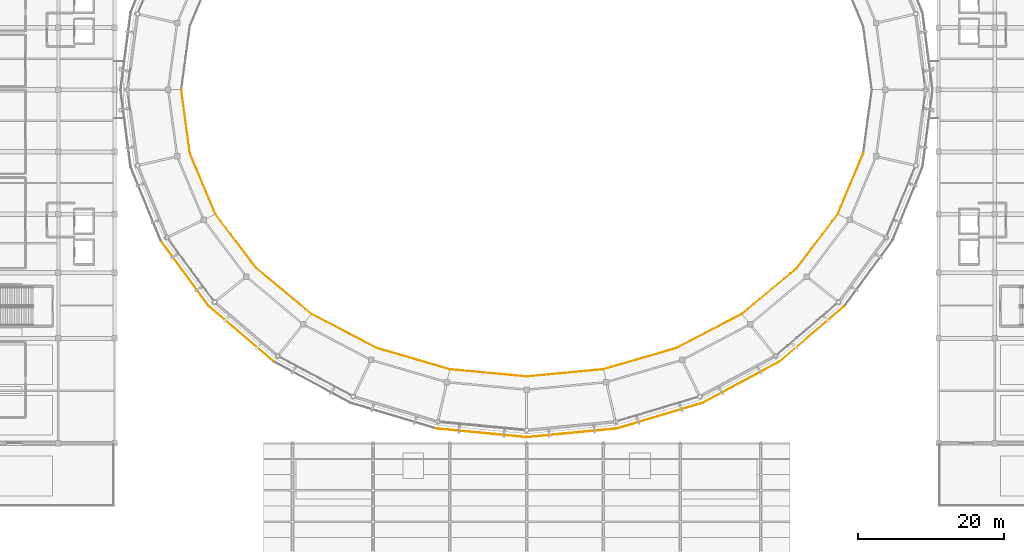
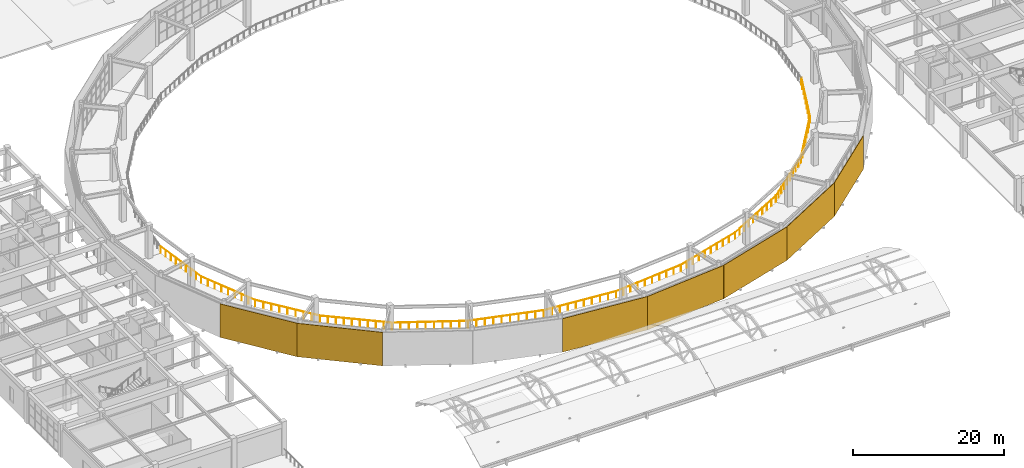
# One storey, part 64 of 70: 13 railings, 7 coverings.
"""IFC4 building model written with IfcOpenShell, lengths in metres."""

import ifcopenshell
import ifcopenshell.guid

model = None  # the IFC model being written
_history = None  # IfcOwnerHistory: only IFC2X3 demands one
_inside = {}  # id of a spatial element -> (the spatial element, [elements in it])
_under = {}  # id of a project, library or spatial element -> (it, [spatial elements below it])
_declared = {}  # id of a project -> (the project, [libraries it declares])
_typed = {}  # id of a type object -> (the type object, [elements of that type])
_made_of = {}  # id of a material, layer set ... -> (it, [elements and type objects made of it])


def new_model(schema):
    """Start an empty IFC model of exactly this schema.

    Asked for "IFC4X3", IfcOpenShell would pick the latest addendum, in which some entities
    have other attributes; the version numbers below select the first issue.
    IFC2X3 requires an IfcOwnerHistory on every rooted entity: one is made here for all.
    """
    global model, _history
    if schema == "IFC4X3":
        model = ifcopenshell.file(schema_version=(4, 3, 0, 0))
    else:
        model = ifcopenshell.file(schema=schema)
    _inside.clear()
    _under.clear()
    _declared.clear()
    _typed.clear()
    _made_of.clear()
    _history = None
    if model.schema == "IFC2X3":
        org = make("IfcOrganization", Name="unknown")
        user = make(
            "IfcPersonAndOrganization",
            ThePerson=make("IfcPerson", FamilyName="unknown"),
            TheOrganization=org,
        )
        app = make(
            "IfcApplication",
            ApplicationDeveloper=org,
            Version="unknown",
            ApplicationFullName="unknown",
            ApplicationIdentifier="unknown",
        )
        _history = make(
            "IfcOwnerHistory",
            OwningUser=user,
            OwningApplication=app,
            ChangeAction="ADDED",
            CreationDate=0,
        )
    return model


def make(cls, **values):
    """One entity of the class cls with the attributes given. An attribute that is None is left unset."""
    return model.create_entity(
        cls, **{name: value for name, value in values.items() if value is not None}
    )


def rooted(cls, **values):
    """An entity with a GlobalId (a new one), such as an element, a storey or a relation."""
    return make(cls, GlobalId=ifcopenshell.guid.new(), OwnerHistory=_history, **values)


def si_unit(unit_type, name, prefix=None):
    """IfcSIUnit, for example si_unit("LENGTHUNIT", "METRE", prefix="MILLI")."""
    return make("IfcSIUnit", UnitType=unit_type, Prefix=prefix, Name=name)


def assignment(units):
    """IfcUnitAssignment: the units of a project."""
    return None if units is None else make("IfcUnitAssignment", Units=units)


def point(xyz):
    """IfcCartesianPoint."""
    return None if xyz is None else make("IfcCartesianPoint", Coordinates=xyz)


def direction(xyz):
    """IfcDirection."""
    return None if xyz is None else make("IfcDirection", DirectionRatios=xyz)


def frame(location, z_axis=None, x_axis=None):
    """IfcAxis2Placement3D, a coordinate frame: its origin and axes. An axis left out is left unset."""
    return make(
        "IfcAxis2Placement3D",
        Location=point(location),
        Axis=direction(z_axis),
        RefDirection=direction(x_axis),
    )


def frame_2d(location, x_axis=None):
    """IfcAxis2Placement2D, a coordinate frame in the plane: its origin and x axis."""
    return make(
        "IfcAxis2Placement2D", Location=point(location), RefDirection=direction(x_axis)
    )


def origin():
    """The frame at (0, 0, 0) with its axes left unset."""
    return frame((0.0, 0.0, 0.0))


def origin_2d():
    """The frame at (0, 0) in the plane with its x axis left unset."""
    return frame_2d((0.0, 0.0))


def place(relative_to, where):
    """IfcLocalPlacement: puts the frame where relative to a parent placement (None: the world)."""
    return make(
        "IfcLocalPlacement", PlacementRelTo=relative_to, RelativePlacement=where
    )


def context(
    kind, dimensions, precision=None, world=None, true_north=None, identifier=None
):
    """IfcGeometricRepresentationContext, for example the 3D "Model" context."""
    return make(
        "IfcGeometricRepresentationContext",
        ContextIdentifier=identifier,
        ContextType=kind,
        CoordinateSpaceDimension=dimensions,
        Precision=precision,
        WorldCoordinateSystem=world,
        TrueNorth=true_north,
    )


def subcontext(parent, identifier, kind, view, scale=None):
    """IfcGeometricRepresentationSubContext, for example "Body" below "Model"."""
    return make(
        "IfcGeometricRepresentationSubContext",
        ContextIdentifier=identifier,
        ContextType=kind,
        ParentContext=parent,
        TargetScale=scale,
        TargetView=view,
    )


def project(units=None, contexts=None):
    """IfcProject with its units and contexts."""
    return rooted(
        "IfcProject",
        Name="project",
        RepresentationContexts=contexts,
        UnitsInContext=assignment(units),
    )


def spatial(cls, under=None, at=None, **own):
    """A site, building, storey or space (cls), placed at a placement, below another one or the project."""
    s = rooted(cls, ObjectPlacement=at, **own)
    if under is not None:
        _under.setdefault(under.id(), (under, []))[1].append(s)
    return s


def profile(cls, at=None, kind="AREA", **sizes):
    """A parametric profile (cls). Its sizes go by their IFC names, for example OverallWidth=200.0."""
    return make(cls, ProfileType=kind, Position=at, **sizes)


def rectangle(**sizes):
    """IfcRectangleProfileDef."""
    return profile("IfcRectangleProfileDef", **sizes)


def circle(**sizes):
    """IfcCircleProfileDef."""
    return profile("IfcCircleProfileDef", **sizes)


def extrude(swept, where, along, depth):
    """IfcExtrudedAreaSolid: the profile swept, set in the frame where, extruded along a direction by depth."""
    return make(
        "IfcExtrudedAreaSolid",
        SweptArea=swept,
        Position=where,
        ExtrudedDirection=direction(along),
        Depth=depth,
    )


def shape(context_of_items, identifier, shape_type, items):
    """IfcShapeRepresentation: the items that make up one representation, for example the "Body"."""
    return make(
        "IfcShapeRepresentation",
        ContextOfItems=context_of_items,
        RepresentationIdentifier=identifier,
        RepresentationType=shape_type,
        Items=items,
    )


def material(Name=None, Category=None):
    """IfcMaterial."""
    return make("IfcMaterial", Name=Name, Category=Category)


def layer(
    of_material, thickness, ventilated=None, Name=None, Category=None, Priority=None
):
    """IfcMaterialLayer: one layer of a wall or slab, of a material (None: an air gap)."""
    return make(
        "IfcMaterialLayer",
        Material=of_material,
        LayerThickness=thickness,
        IsVentilated=ventilated,
        Name=Name,
        Category=Category,
        Priority=Priority,
    )


def layer_set(layers, Name=None):
    """IfcMaterialLayerSet."""
    return make("IfcMaterialLayerSet", MaterialLayers=layers, LayerSetName=Name)


def made_of(thing, what):
    """Note that an element or type object is made of a material, layer set ...; save() writes the relation."""
    if what is not None:
        _made_of.setdefault(what.id(), (what, []))[1].append(thing)
    return thing


def type_object(cls, material=None, **own):
    """A type object (cls), such as IfcWallType, which elements share."""
    return made_of(rooted(cls, **own), material)


def element(
    cls,
    number,
    at=None,
    inside=None,
    cuts=None,
    type_object=None,
    material=None,
    context=None,
    identifier="Body",
    shape_type=None,
    held_by="IfcProductDefinitionShape",
    body=None,
    shapes=None,
    **own,
):
    """One element of the class cls, such as IfcWall. Its Tag is "e" and its number.

    at: its placement. inside: the storey or other place that contains it. cuts: it is an
    opening in that element (IfcRelVoidsElement). A single representation is given by context,
    identifier, shape_type and body (its items); several are given by shapes. held_by: the class
    of the entity that holds the representations. save() writes the other relations.
    """
    e = rooted(cls, Tag="e%d" % number, ObjectPlacement=at, **own)
    if body is not None:
        shapes = [shape(context, identifier, shape_type, body)]
    if shapes is not None:
        e.Representation = make(held_by, Representations=shapes)
    if inside is not None:
        _inside.setdefault(inside.id(), (inside, []))[1].append(e)
    if cuts is not None:
        rooted(
            "IfcRelVoidsElement", RelatingBuildingElement=cuts, RelatedOpeningElement=e
        )
    if type_object is not None:
        _typed.setdefault(type_object.id(), (type_object, []))[1].append(e)
    return made_of(e, material)


def aggregate(whole, parts):
    """IfcRelAggregates: a whole, such as a stair, and the parts it consists of."""
    return rooted("IfcRelAggregates", RelatingObject=whole, RelatedObjects=parts)


def save(model, path):
    """Write the relations noted so far, then the file.

    IfcRelAggregates (storeys below a building ...), IfcRelContainedInSpatialStructure (elements
    in a storey), IfcRelDefinesByType, IfcRelAssociatesMaterial and IfcRelDeclares: one each for
    every whole, place, type object, material and project.
    """
    for whole, parts in _under.values():
        aggregate(whole, parts)
    for where, things in _inside.values():
        rooted(
            "IfcRelContainedInSpatialStructure",
            RelatedElements=things,
            RelatingStructure=where,
        )
    for kind, things in _typed.values():
        rooted("IfcRelDefinesByType", RelatedObjects=things, RelatingType=kind)
    for what, things in _made_of.values():
        rooted("IfcRelAssociatesMaterial", RelatedObjects=things, RelatingMaterial=what)
    for by, libraries in _declared.values():
        rooted("IfcRelDeclares", RelatingContext=by, RelatedDefinitions=libraries)
    model.write(path)


model = new_model("IFC4")

# Units and contexts
model_context = context("Model", 3, precision=1e-05, world=origin(), true_north=direction((0.0, 1.0)))
body_context = subcontext(model_context, "Body", "Model", "MODEL_VIEW")
ifc_project = project(units=[si_unit("LENGTHUNIT", "METRE"), si_unit("AREAUNIT", "SQUARE_METRE"), si_unit("VOLUMEUNIT", "CUBIC_METRE"), si_unit("PLANEANGLEUNIT", "RADIAN"), si_unit("MASSUNIT", "GRAM", prefix="KILO")], contexts=[model_context])

# Site, building, storey
site_placement = place(None, origin())
site = spatial("IfcSite", under=ifc_project, at=site_placement, CompositionType="ELEMENT")
building_placement = place(site_placement, origin())
building = spatial("IfcBuilding", under=site, at=building_placement, Name="Cuetzalor Civic Arena", CompositionType="ELEMENT")
storey_placement = place(building_placement, frame((0.0, 0.0, 21.0)))
storey = spatial("IfcBuildingStorey", under=building, at=storey_placement, Name="L04", CompositionType="ELEMENT", Elevation=21.0)

# Railings
ifc_material_1 = material(Name="Reseda-green Steel S355 and laminated glass guard", Category="steel")
railing_type = type_object("IfcRailingType", Name="BowlSightlineGuard_1100", PredefinedType="BALUSTRADE", material=ifc_material_1)
railing_1_placement = place(storey_placement, frame((-47.199951171875, 0.0, 0.0)))
element("IfcRailing", 1, at=railing_1_placement, inside=storey, type_object=railing_type, Name="Sky Gallery Bowl Rim Balustrade S15", PredefinedType="BALUSTRADE", context=body_context, shape_type="SweptSolid", body=[
    extrude(circle(Radius=0.02392578125, at=origin_2d()), frame((0.0, 0.0, 1.076171875), z_axis=(0.134428756655, -0.990923261097, 0.0), x_axis=(0.990923261097, 0.134428756655, 0.0)), (0.0, 0.0, 1.0), 8.802734375),
    extrude(circle(Radius=0.02099609375, at=origin_2d()), origin(), (0.0, 0.0, 1.0), 1.052001953125),
    extrude(circle(Radius=0.02099609375, at=origin_2d()), frame((0.14794921875, -1.09033203125, 0.0)), (0.0, 0.0, 1.0), 1.052001953125),
    extrude(circle(Radius=0.02099609375, at=origin_2d()), frame((0.2958984375, -2.1806640625, 0.0)), (0.0, 0.0, 1.0), 1.052001953125),
    extrude(circle(Radius=0.02099609375, at=origin_2d()), frame((0.44384765625, -3.27099609375, 0.0)), (0.0, 0.0, 1.0), 1.052001953125),
    extrude(circle(Radius=0.02099609375, at=origin_2d()), frame((0.591796875, -4.361328125, 0.0)), (0.0, 0.0, 1.0), 1.052001953125),
    extrude(circle(Radius=0.02099609375, at=origin_2d()), frame((0.739501953125, -5.451904296875, 0.0)), (0.0, 0.0, 1.0), 1.052001953125),
    extrude(circle(Radius=0.02099609375, at=origin_2d()), frame((0.887451171875, -6.542236328125, 0.0)), (0.0, 0.0, 1.0), 1.052001953125),
    extrude(circle(Radius=0.02099609375, at=origin_2d()), frame((1.035400390625, -7.632568359375, 0.0)), (0.0, 0.0, 1.0), 1.052001953125),
    extrude(circle(Radius=0.02099609375, at=origin_2d()), frame((1.183349609375, -8.722900390625, 0.0)), (0.0, 0.0, 1.0), 1.052001953125),
])
railing_2_placement = place(storey_placement, frame((-46.0166015625, -8.722900390625, 0.0)))
element("IfcRailing", 2, at=railing_2_placement, inside=storey, type_object=railing_type, Name="Sky Gallery Bowl Rim Balustrade S16", PredefinedType="BALUSTRADE", context=body_context, shape_type="SweptSolid", body=[
    extrude(circle(Radius=0.02392578125, at=origin_2d()), frame((0.0, 0.0, 1.076171875), z_axis=(0.388281571864, -0.921540786374, 0.0), x_axis=(0.921540786374, 0.388281571864, 0.0)), (0.0, 0.0, 1.0), 8.99072265625),
    extrude(circle(Radius=0.02099609375, at=origin_2d()), origin(), (0.0, 0.0, 1.0), 1.052001953125),
    extrude(circle(Radius=0.02099609375, at=origin_2d()), frame((0.436279296875, -1.03564453125, 0.0)), (0.0, 0.0, 1.0), 1.052001953125),
    extrude(circle(Radius=0.02099609375, at=origin_2d()), frame((0.872802734375, -2.0712890625, 0.0)), (0.0, 0.0, 1.0), 1.052001953125),
    extrude(circle(Radius=0.02099609375, at=origin_2d()), frame((1.30908203125, -3.10693359375, 0.0)), (0.0, 0.0, 1.0), 1.052001953125),
    extrude(circle(Radius=0.02099609375, at=origin_2d()), frame((1.74560546875, -4.142578125, 0.0)), (0.0, 0.0, 1.0), 1.052001953125),
    extrude(circle(Radius=0.02099609375, at=origin_2d()), frame((2.181884765625, -5.178466796875, 0.0)), (0.0, 0.0, 1.0), 1.052001953125),
    extrude(circle(Radius=0.02099609375, at=origin_2d()), frame((2.6181640625, -6.214111328125, 0.0)), (0.0, 0.0, 1.0), 1.052001953125),
    extrude(circle(Radius=0.02099609375, at=origin_2d()), frame((3.0546875, -7.249755859375, 0.0)), (0.0, 0.0, 1.0), 1.052001953125),
    extrude(circle(Radius=0.02099609375, at=origin_2d()), frame((3.490966796875, -8.285400390625, 0.0)), (0.0, 0.0, 1.0), 1.052001953125),
])
railing_3_placement = place(storey_placement, frame((-42.525634765625, -17.00830078125, 0.0)))
element("IfcRailing", 3, at=railing_3_placement, inside=storey, type_object=railing_type, Name="Sky Gallery Bowl Rim Balustrade S17", PredefinedType="BALUSTRADE", context=body_context, shape_type="SweptSolid", body=[
    extrude(circle(Radius=0.02392578125, at=origin_2d()), frame((0.0, 0.0, 1.076171875), z_axis=(0.60334768041, -0.79747826086, 0.0), x_axis=(0.79747826086, 0.60334768041, 0.0)), (0.0, 0.0, 1.0), 9.320068359375),
    extrude(circle(Radius=0.02099609375, at=origin_2d()), origin(), (0.0, 0.0, 1.0), 1.052001953125),
    extrude(circle(Radius=0.02099609375, at=origin_2d()), frame((0.702880859375, -0.92919921875, 0.0)), (0.0, 0.0, 1.0), 1.052001953125),
    extrude(circle(Radius=0.02099609375, at=origin_2d()), frame((1.40576171875, -1.858154296875, 0.0)), (0.0, 0.0, 1.0), 1.052001953125),
    extrude(circle(Radius=0.02099609375, at=origin_2d()), frame((2.108642578125, -2.787109375, 0.0)), (0.0, 0.0, 1.0), 1.052001953125),
    extrude(circle(Radius=0.02099609375, at=origin_2d()), frame((2.8115234375, -3.71630859375, 0.0)), (0.0, 0.0, 1.0), 1.052001953125),
    extrude(circle(Radius=0.02099609375, at=origin_2d()), frame((3.5146484375, -4.6455078125, 0.0)), (0.0, 0.0, 1.0), 1.052001953125),
    extrude(circle(Radius=0.02099609375, at=origin_2d()), frame((4.217529296875, -5.574462890625, 0.0)), (0.0, 0.0, 1.0), 1.052001953125),
    extrude(circle(Radius=0.02099609375, at=origin_2d()), frame((4.92041015625, -6.50341796875, 0.0)), (0.0, 0.0, 1.0), 1.052001953125),
    extrude(circle(Radius=0.02099609375, at=origin_2d()), frame((5.623291015625, -7.4326171875, 0.0)), (0.0, 0.0, 1.0), 1.052001953125),
])
railing_4_placement = place(storey_placement, frame((-36.90234375, -24.44091796875, 0.0)))
element("IfcRailing", 4, at=railing_4_placement, inside=storey, type_object=railing_type, Name="Sky Gallery Bowl Rim Balustrade S18", PredefinedType="BALUSTRADE", context=body_context, shape_type="SweptSolid", body=[
    extrude(circle(Radius=0.02392578125, at=origin_2d()), frame((0.0, 0.0, 1.076171875), z_axis=(0.769295452633, -0.638893188693, 0.0), x_axis=(0.638893188693, 0.769295452633, 0.0)), (0.0, 0.0, 1.0), 9.71484375),
    extrude(circle(Radius=0.02099609375, at=origin_2d()), origin(), (0.0, 0.0, 1.0), 1.052001953125),
    extrude(circle(Radius=0.02099609375, at=origin_2d()), frame((0.830322265625, -0.689697265625, 0.0)), (0.0, 0.0, 1.0), 1.052001953125),
    extrude(circle(Radius=0.02099609375, at=origin_2d()), frame((1.660888671875, -1.37939453125, 0.0)), (0.0, 0.0, 1.0), 1.052001953125),
    extrude(circle(Radius=0.02099609375, at=origin_2d()), frame((2.4912109375, -2.06884765625, 0.0)), (0.0, 0.0, 1.0), 1.052001953125),
    extrude(circle(Radius=0.02099609375, at=origin_2d()), frame((3.321533203125, -2.758544921875, 0.0)), (0.0, 0.0, 1.0), 1.052001953125),
    extrude(circle(Radius=0.02099609375, at=origin_2d()), frame((4.152099609375, -3.4482421875, 0.0)), (0.0, 0.0, 1.0), 1.052001953125),
    extrude(circle(Radius=0.02099609375, at=origin_2d()), frame((4.982421875, -4.137939453125, 0.0)), (0.0, 0.0, 1.0), 1.052001953125),
    extrude(circle(Radius=0.02099609375, at=origin_2d()), frame((5.812744140625, -4.827392578125, 0.0)), (0.0, 0.0, 1.0), 1.052001953125),
    extrude(circle(Radius=0.02099609375, at=origin_2d()), frame((6.643310546875, -5.51708984375, 0.0)), (0.0, 0.0, 1.0), 1.052001953125),
    extrude(circle(Radius=0.02099609375, at=origin_2d()), frame((7.4736328125, -6.206787109375, 0.0)), (0.0, 0.0, 1.0), 1.052001953125),
])
railing_5_placement = place(storey_placement, frame((-29.4287109375, -30.647705078125, 0.0)))
element("IfcRailing", 5, at=railing_5_placement, inside=storey, type_object=railing_type, Name="Sky Gallery Bowl Rim Balustrade S19", PredefinedType="BALUSTRADE", context=body_context, shape_type="SweptSolid", body=[
    extrude(circle(Radius=0.02392578125, at=origin_2d()), frame((0.0, 0.0, 1.076171875), z_axis=(0.886539131645, -0.462653615636, 0.0), x_axis=(0.462653615636, 0.886539131645, 0.0)), (0.0, 0.0, 1.0), 10.0947265625),
    extrude(circle(Radius=0.02099609375, at=origin_2d()), origin(), (0.0, 0.0, 1.0), 1.052001953125),
    extrude(circle(Radius=0.02099609375, at=origin_2d()), frame((0.994384765625, -0.51904296875, 0.0)), (0.0, 0.0, 1.0), 1.052001953125),
    extrude(circle(Radius=0.02099609375, at=origin_2d()), frame((1.98876953125, -1.037841796875, 0.0)), (0.0, 0.0, 1.0), 1.052001953125),
    extrude(circle(Radius=0.02099609375, at=origin_2d()), frame((2.983154296875, -1.556884765625, 0.0)), (0.0, 0.0, 1.0), 1.052001953125),
    extrude(circle(Radius=0.02099609375, at=origin_2d()), frame((3.9775390625, -2.07568359375, 0.0)), (0.0, 0.0, 1.0), 1.052001953125),
    extrude(circle(Radius=0.02099609375, at=origin_2d()), frame((4.971923828125, -2.5947265625, 0.0)), (0.0, 0.0, 1.0), 1.052001953125),
    extrude(circle(Radius=0.02099609375, at=origin_2d()), frame((5.96630859375, -3.113525390625, 0.0)), (0.0, 0.0, 1.0), 1.052001953125),
    extrude(circle(Radius=0.02099609375, at=origin_2d()), frame((6.960693359375, -3.632568359375, 0.0)), (0.0, 0.0, 1.0), 1.052001953125),
    extrude(circle(Radius=0.02099609375, at=origin_2d()), frame((7.955078125, -4.1513671875, 0.0)), (0.0, 0.0, 1.0), 1.052001953125),
    extrude(circle(Radius=0.02099609375, at=origin_2d()), frame((8.949462890625, -4.67041015625, 0.0)), (0.0, 0.0, 1.0), 1.052001953125),
])
railing_6_placement = place(storey_placement, frame((-20.479248046875, -35.318115234375, 0.0)))
element("IfcRailing", 6, at=railing_6_placement, inside=storey, type_object=railing_type, Name="Sky Gallery Bowl Rim Balustrade S20", PredefinedType="BALUSTRADE", context=body_context, shape_type="SweptSolid", body=[
    extrude(circle(Radius=0.02392578125, at=origin_2d()), frame((0.0, 0.0, 1.076171875), z_axis=(0.960273529598, -0.279060474365, 0.0), x_axis=(0.279060474365, 0.960273529598, 0.0)), (0.0, 0.0, 1.0), 10.38916015625),
    extrude(circle(Radius=0.02099609375, at=origin_2d()), origin(), (0.0, 0.0, 1.0), 1.052001953125),
    extrude(circle(Radius=0.02099609375, at=origin_2d()), frame((1.1083984375, -0.322021484375, 0.0)), (0.0, 0.0, 1.0), 1.052001953125),
    extrude(circle(Radius=0.02099609375, at=origin_2d()), frame((2.217041015625, -0.644287109375, 0.0)), (0.0, 0.0, 1.0), 1.052001953125),
    extrude(circle(Radius=0.02099609375, at=origin_2d()), frame((3.325439453125, -0.96630859375, 0.0)), (0.0, 0.0, 1.0), 1.052001953125),
    extrude(circle(Radius=0.02099609375, at=origin_2d()), frame((4.433837890625, -1.28857421875, 0.0)), (0.0, 0.0, 1.0), 1.052001953125),
    extrude(circle(Radius=0.02099609375, at=origin_2d()), frame((5.54248046875, -1.610595703125, 0.0)), (0.0, 0.0, 1.0), 1.052001953125),
    extrude(circle(Radius=0.02099609375, at=origin_2d()), frame((6.65087890625, -1.932861328125, 0.0)), (0.0, 0.0, 1.0), 1.052001953125),
    extrude(circle(Radius=0.02099609375, at=origin_2d()), frame((7.75927734375, -2.2548828125, 0.0)), (0.0, 0.0, 1.0), 1.052001953125),
    extrude(circle(Radius=0.02099609375, at=origin_2d()), frame((8.867919921875, -2.5771484375, 0.0)), (0.0, 0.0, 1.0), 1.052001953125),
    extrude(circle(Radius=0.02099609375, at=origin_2d()), frame((9.976318359375, -2.899169921875, 0.0)), (0.0, 0.0, 1.0), 1.052001953125),
])
railing_7_placement = place(storey_placement, frame((-10.5029296875, -38.21728515625, 0.0)))
element("IfcRailing", 7, at=railing_7_placement, inside=storey, type_object=railing_type, Name="Sky Gallery Bowl Rim Balustrade S21", PredefinedType="BALUSTRADE", context=body_context, shape_type="SweptSolid", body=[
    extrude(circle(Radius=0.02392578125, at=origin_2d()), frame((0.0, 0.0, 1.076171875), z_axis=(0.995651684178, -0.093154300995, 0.0), x_axis=(0.093154300995, 0.995651684178, 0.0)), (0.0, 0.0, 1.0), 10.548828125),
    extrude(circle(Radius=0.02099609375, at=origin_2d()), origin(), (0.0, 0.0, 1.0), 1.052001953125),
    extrude(circle(Radius=0.02099609375, at=origin_2d()), frame((1.1669921875, -0.109130859375, 0.0)), (0.0, 0.0, 1.0), 1.052001953125),
    extrude(circle(Radius=0.02099609375, at=origin_2d()), frame((2.333984375, -0.21826171875, 0.0)), (0.0, 0.0, 1.0), 1.052001953125),
    extrude(circle(Radius=0.02099609375, at=origin_2d()), frame((3.5009765625, -0.32763671875, 0.0)), (0.0, 0.0, 1.0), 1.052001953125),
    extrude(circle(Radius=0.02099609375, at=origin_2d()), frame((4.66796875, -0.436767578125, 0.0)), (0.0, 0.0, 1.0), 1.052001953125),
    extrude(circle(Radius=0.02099609375, at=origin_2d()), frame((5.8349609375, -0.5458984375, 0.0)), (0.0, 0.0, 1.0), 1.052001953125),
    extrude(circle(Radius=0.02099609375, at=origin_2d()), frame((7.001953125, -0.655029296875, 0.0)), (0.0, 0.0, 1.0), 1.052001953125),
    extrude(circle(Radius=0.02099609375, at=origin_2d()), frame((8.1689453125, -0.764404296875, 0.0)), (0.0, 0.0, 1.0), 1.052001953125),
    extrude(circle(Radius=0.02099609375, at=origin_2d()), frame((9.3359375, -0.87353515625, 0.0)), (0.0, 0.0, 1.0), 1.052001953125),
    extrude(circle(Radius=0.02099609375, at=origin_2d()), frame((10.5029296875, -0.982666015625, 0.0)), (0.0, 0.0, 1.0), 1.052001953125),
])
railing_8_placement = place(storey_placement, frame((0.0, -39.199951171875, 0.0)))
element("IfcRailing", 8, at=railing_8_placement, inside=storey, type_object=railing_type, Name="Sky Gallery Bowl Rim Balustrade S22", PredefinedType="BALUSTRADE", context=body_context, shape_type="SweptSolid", body=[
    extrude(circle(Radius=0.02392578125, at=origin_2d()), frame((0.0, 0.0, 1.076171875), z_axis=(0.995651684178, 0.093154300995, 0.0), x_axis=(-0.093154300995, 0.995651684178, 0.0)), (0.0, 0.0, 1.0), 10.548828125),
    extrude(circle(Radius=0.02099609375, at=origin_2d()), origin(), (0.0, 0.0, 1.0), 1.052001953125),
    extrude(circle(Radius=0.02099609375, at=origin_2d()), frame((1.1669921875, 0.109130859375, 0.0)), (0.0, 0.0, 1.0), 1.052001953125),
    extrude(circle(Radius=0.02099609375, at=origin_2d()), frame((2.333984375, 0.21826171875, 0.0)), (0.0, 0.0, 1.0), 1.052001953125),
    extrude(circle(Radius=0.02099609375, at=origin_2d()), frame((3.5009765625, 0.32763671875, 0.0)), (0.0, 0.0, 1.0), 1.052001953125),
    extrude(circle(Radius=0.02099609375, at=origin_2d()), frame((4.66796875, 0.436767578125, 0.0)), (0.0, 0.0, 1.0), 1.052001953125),
    extrude(circle(Radius=0.02099609375, at=origin_2d()), frame((5.8349609375, 0.5458984375, 0.0)), (0.0, 0.0, 1.0), 1.052001953125),
    extrude(circle(Radius=0.02099609375, at=origin_2d()), frame((7.001953125, 0.655029296875, 0.0)), (0.0, 0.0, 1.0), 1.052001953125),
    extrude(circle(Radius=0.02099609375, at=origin_2d()), frame((8.1689453125, 0.764404296875, 0.0)), (0.0, 0.0, 1.0), 1.052001953125),
    extrude(circle(Radius=0.02099609375, at=origin_2d()), frame((9.3359375, 0.87353515625, 0.0)), (0.0, 0.0, 1.0), 1.052001953125),
    extrude(circle(Radius=0.02099609375, at=origin_2d()), frame((10.5029296875, 0.982666015625, 0.0)), (0.0, 0.0, 1.0), 1.052001953125),
])
railing_9_placement = place(storey_placement, frame((10.5029296875, -38.21728515625, 0.0)))
element("IfcRailing", 9, at=railing_9_placement, inside=storey, type_object=railing_type, Name="Sky Gallery Bowl Rim Balustrade S23", PredefinedType="BALUSTRADE", context=body_context, shape_type="SweptSolid", body=[
    extrude(circle(Radius=0.02392578125, at=origin_2d()), frame((0.0, 0.0, 1.076171875), z_axis=(0.960273529598, 0.279060474365, 0.0), x_axis=(-0.279060474365, 0.960273529598, 0.0)), (0.0, 0.0, 1.0), 10.38916015625),
    extrude(circle(Radius=0.02099609375, at=origin_2d()), origin(), (0.0, 0.0, 1.0), 1.052001953125),
    extrude(circle(Radius=0.02099609375, at=origin_2d()), frame((1.1083984375, 0.322021484375, 0.0)), (0.0, 0.0, 1.0), 1.052001953125),
    extrude(circle(Radius=0.02099609375, at=origin_2d()), frame((2.217041015625, 0.644287109375, 0.0)), (0.0, 0.0, 1.0), 1.052001953125),
    extrude(circle(Radius=0.02099609375, at=origin_2d()), frame((3.325439453125, 0.96630859375, 0.0)), (0.0, 0.0, 1.0), 1.052001953125),
    extrude(circle(Radius=0.02099609375, at=origin_2d()), frame((4.433837890625, 1.28857421875, 0.0)), (0.0, 0.0, 1.0), 1.052001953125),
    extrude(circle(Radius=0.02099609375, at=origin_2d()), frame((5.54248046875, 1.610595703125, 0.0)), (0.0, 0.0, 1.0), 1.052001953125),
    extrude(circle(Radius=0.02099609375, at=origin_2d()), frame((6.65087890625, 1.932861328125, 0.0)), (0.0, 0.0, 1.0), 1.052001953125),
    extrude(circle(Radius=0.02099609375, at=origin_2d()), frame((7.75927734375, 2.2548828125, 0.0)), (0.0, 0.0, 1.0), 1.052001953125),
    extrude(circle(Radius=0.02099609375, at=origin_2d()), frame((8.867919921875, 2.5771484375, 0.0)), (0.0, 0.0, 1.0), 1.052001953125),
    extrude(circle(Radius=0.02099609375, at=origin_2d()), frame((9.976318359375, 2.899169921875, 0.0)), (0.0, 0.0, 1.0), 1.052001953125),
])
railing_10_placement = place(storey_placement, frame((20.479248046875, -35.318115234375, 0.0)))
element("IfcRailing", 10, at=railing_10_placement, inside=storey, type_object=railing_type, Name="Sky Gallery Bowl Rim Balustrade S24", PredefinedType="BALUSTRADE", context=body_context, shape_type="SweptSolid", body=[
    extrude(circle(Radius=0.02392578125, at=origin_2d()), frame((0.0, 0.0, 1.076171875), z_axis=(0.886539131645, 0.462653615636, 0.0), x_axis=(-0.462653615636, 0.886539131645, 0.0)), (0.0, 0.0, 1.0), 10.0947265625),
    extrude(circle(Radius=0.02099609375, at=origin_2d()), origin(), (0.0, 0.0, 1.0), 1.052001953125),
    extrude(circle(Radius=0.02099609375, at=origin_2d()), frame((0.994384765625, 0.51904296875, 0.0)), (0.0, 0.0, 1.0), 1.052001953125),
    extrude(circle(Radius=0.02099609375, at=origin_2d()), frame((1.98876953125, 1.037841796875, 0.0)), (0.0, 0.0, 1.0), 1.052001953125),
    extrude(circle(Radius=0.02099609375, at=origin_2d()), frame((2.983154296875, 1.556884765625, 0.0)), (0.0, 0.0, 1.0), 1.052001953125),
    extrude(circle(Radius=0.02099609375, at=origin_2d()), frame((3.9775390625, 2.07568359375, 0.0)), (0.0, 0.0, 1.0), 1.052001953125),
    extrude(circle(Radius=0.02099609375, at=origin_2d()), frame((4.971923828125, 2.5947265625, 0.0)), (0.0, 0.0, 1.0), 1.052001953125),
    extrude(circle(Radius=0.02099609375, at=origin_2d()), frame((5.96630859375, 3.113525390625, 0.0)), (0.0, 0.0, 1.0), 1.052001953125),
    extrude(circle(Radius=0.02099609375, at=origin_2d()), frame((6.960693359375, 3.632568359375, 0.0)), (0.0, 0.0, 1.0), 1.052001953125),
    extrude(circle(Radius=0.02099609375, at=origin_2d()), frame((7.955078125, 4.1513671875, 0.0)), (0.0, 0.0, 1.0), 1.052001953125),
    extrude(circle(Radius=0.02099609375, at=origin_2d()), frame((8.949462890625, 4.67041015625, 0.0)), (0.0, 0.0, 1.0), 1.052001953125),
])
railing_11_placement = place(storey_placement, frame((29.4287109375, -30.647705078125, 0.0)))
element("IfcRailing", 11, at=railing_11_placement, inside=storey, type_object=railing_type, Name="Sky Gallery Bowl Rim Balustrade S25", PredefinedType="BALUSTRADE", context=body_context, shape_type="SweptSolid", body=[
    extrude(circle(Radius=0.02392578125, at=origin_2d()), frame((0.0, 0.0, 1.076171875), z_axis=(0.769295452633, 0.638893188693, 0.0), x_axis=(-0.638893188693, 0.769295452633, 0.0)), (0.0, 0.0, 1.0), 9.71484375),
    extrude(circle(Radius=0.02099609375, at=origin_2d()), origin(), (0.0, 0.0, 1.0), 1.052001953125),
    extrude(circle(Radius=0.02099609375, at=origin_2d()), frame((0.830322265625, 0.689697265625, 0.0)), (0.0, 0.0, 1.0), 1.052001953125),
    extrude(circle(Radius=0.02099609375, at=origin_2d()), frame((1.660888671875, 1.37939453125, 0.0)), (0.0, 0.0, 1.0), 1.052001953125),
    extrude(circle(Radius=0.02099609375, at=origin_2d()), frame((2.4912109375, 2.06884765625, 0.0)), (0.0, 0.0, 1.0), 1.052001953125),
    extrude(circle(Radius=0.02099609375, at=origin_2d()), frame((3.321533203125, 2.758544921875, 0.0)), (0.0, 0.0, 1.0), 1.052001953125),
    extrude(circle(Radius=0.02099609375, at=origin_2d()), frame((4.152099609375, 3.4482421875, 0.0)), (0.0, 0.0, 1.0), 1.052001953125),
    extrude(circle(Radius=0.02099609375, at=origin_2d()), frame((4.982421875, 4.137939453125, 0.0)), (0.0, 0.0, 1.0), 1.052001953125),
    extrude(circle(Radius=0.02099609375, at=origin_2d()), frame((5.812744140625, 4.827392578125, 0.0)), (0.0, 0.0, 1.0), 1.052001953125),
    extrude(circle(Radius=0.02099609375, at=origin_2d()), frame((6.643310546875, 5.51708984375, 0.0)), (0.0, 0.0, 1.0), 1.052001953125),
    extrude(circle(Radius=0.02099609375, at=origin_2d()), frame((7.4736328125, 6.206787109375, 0.0)), (0.0, 0.0, 1.0), 1.052001953125),
])
railing_12_placement = place(storey_placement, frame((36.90234375, -24.44091796875, 0.0)))
element("IfcRailing", 12, at=railing_12_placement, inside=storey, type_object=railing_type, Name="Sky Gallery Bowl Rim Balustrade S26", PredefinedType="BALUSTRADE", context=body_context, shape_type="SweptSolid", body=[
    extrude(circle(Radius=0.02392578125, at=origin_2d()), frame((0.0, 0.0, 1.076171875), z_axis=(0.60334768041, 0.79747826086, 0.0), x_axis=(-0.79747826086, 0.60334768041, 0.0)), (0.0, 0.0, 1.0), 9.320068359375),
    extrude(circle(Radius=0.02099609375, at=origin_2d()), origin(), (0.0, 0.0, 1.0), 1.052001953125),
    extrude(circle(Radius=0.02099609375, at=origin_2d()), frame((0.702880859375, 0.92919921875, 0.0)), (0.0, 0.0, 1.0), 1.052001953125),
    extrude(circle(Radius=0.02099609375, at=origin_2d()), frame((1.40576171875, 1.858154296875, 0.0)), (0.0, 0.0, 1.0), 1.052001953125),
    extrude(circle(Radius=0.02099609375, at=origin_2d()), frame((2.108642578125, 2.787109375, 0.0)), (0.0, 0.0, 1.0), 1.052001953125),
    extrude(circle(Radius=0.02099609375, at=origin_2d()), frame((2.8115234375, 3.71630859375, 0.0)), (0.0, 0.0, 1.0), 1.052001953125),
    extrude(circle(Radius=0.02099609375, at=origin_2d()), frame((3.5146484375, 4.6455078125, 0.0)), (0.0, 0.0, 1.0), 1.052001953125),
    extrude(circle(Radius=0.02099609375, at=origin_2d()), frame((4.217529296875, 5.574462890625, 0.0)), (0.0, 0.0, 1.0), 1.052001953125),
    extrude(circle(Radius=0.02099609375, at=origin_2d()), frame((4.92041015625, 6.50341796875, 0.0)), (0.0, 0.0, 1.0), 1.052001953125),
    extrude(circle(Radius=0.02099609375, at=origin_2d()), frame((5.623291015625, 7.4326171875, 0.0)), (0.0, 0.0, 1.0), 1.052001953125),
])
railing_13_placement = place(storey_placement, frame((42.525634765625, -17.00830078125, 0.0)))
element("IfcRailing", 13, at=railing_13_placement, inside=storey, type_object=railing_type, Name="Sky Gallery Bowl Rim Balustrade S27", PredefinedType="BALUSTRADE", context=body_context, shape_type="SweptSolid", body=[
    extrude(circle(Radius=0.02392578125, at=origin_2d()), frame((0.0, 0.0, 1.076171875), z_axis=(0.388281571864, 0.921540786374, 0.0), x_axis=(-0.921540786374, 0.388281571864, 0.0)), (0.0, 0.0, 1.0), 8.99072265625),
    extrude(circle(Radius=0.02099609375, at=origin_2d()), origin(), (0.0, 0.0, 1.0), 1.052001953125),
    extrude(circle(Radius=0.02099609375, at=origin_2d()), frame((0.436279296875, 1.03564453125, 0.0)), (0.0, 0.0, 1.0), 1.052001953125),
    extrude(circle(Radius=0.02099609375, at=origin_2d()), frame((0.872802734375, 2.0712890625, 0.0)), (0.0, 0.0, 1.0), 1.052001953125),
    extrude(circle(Radius=0.02099609375, at=origin_2d()), frame((1.30908203125, 3.10693359375, 0.0)), (0.0, 0.0, 1.0), 1.052001953125),
    extrude(circle(Radius=0.02099609375, at=origin_2d()), frame((1.74560546875, 4.142578125, 0.0)), (0.0, 0.0, 1.0), 1.052001953125),
    extrude(circle(Radius=0.02099609375, at=origin_2d()), frame((2.181884765625, 5.178466796875, 0.0)), (0.0, 0.0, 1.0), 1.052001953125),
    extrude(circle(Radius=0.02099609375, at=origin_2d()), frame((2.6181640625, 6.214111328125, 0.0)), (0.0, 0.0, 1.0), 1.052001953125),
    extrude(circle(Radius=0.02099609375, at=origin_2d()), frame((3.0546875, 7.249755859375, 0.0)), (0.0, 0.0, 1.0), 1.052001953125),
    extrude(circle(Radius=0.02099609375, at=origin_2d()), frame((3.490966796875, 8.285400390625, 0.0)), (0.0, 0.0, 1.0), 1.052001953125),
])

# Coverings
ifc_material_2 = material(Name="Terracotta-red perforated anodised aluminium panel", Category="masonry")
ifc_layer = layer(ifc_material_2, 0.080078125)
ifc_layer_set = layer_set([ifc_layer], Name="Terracotta-red perforated anodised aluminium panel")
covering_type = type_object("IfcCoveringType", Name="TerracottaPerforatedScreenPanel", PredefinedType="CLADDING", material=ifc_layer_set)
covering_1_placement = place(storey_placement, frame((-43.3916015625, -29.61572265625, -0.139892578125), z_axis=(0.0, 0.0, 1.0), x_axis=(-0.591819224601, 0.806070719846, 0.0)))
element("IfcCovering", 14, at=covering_1_placement, inside=storey, type_object=covering_type, Name="Terracotta Perforated Drum Screen L04-S17", PredefinedType="CLADDING", context=body_context, shape_type="SweptSolid", body=[
    extrude(rectangle(XDim=11.1728515625, YDim=0.080078125, at=frame_2d((5.58642578125, 0.0))), origin(), (0.0, 0.0, 1.0), 5.419921875),
])
covering_2_placement = place(storey_placement, frame((-34.603759765625, -37.136962890625, -0.139892578125), z_axis=(0.0, 0.0, 1.0), x_axis=(-0.759734649699, 0.650233236652, 0.0)))
element("IfcCovering", 15, at=covering_2_placement, inside=storey, type_object=covering_type, Name="Terracotta Perforated Drum Screen L04-S18", PredefinedType="CLADDING", context=body_context, shape_type="SweptSolid", body=[
    extrude(rectangle(XDim=11.56689453125, YDim=0.080078125, at=frame_2d((5.783447265625, 0.0))), origin(), (0.0, 0.0, 1.0), 5.419921875),
])
for number, where, z_axis, x_axis, name in (
    (16, (0.0, -47.5, -0.139892578125), (0.0, 0.0, 1.0), (-0.995382637025, 0.095986488157, 0.0), "Terracotta Perforated Drum Screen L04-S21"),
    (17, (12.349853515625, -46.30908203125, -0.139892578125), (0.0, 0.0, 1.0), (-0.995382637025, -0.095986488157, 0.0), "Terracotta Perforated Drum Screen L04-S22"),
):
    element("IfcCovering", number, at=place(storey_placement, frame(where, z_axis=z_axis, x_axis=x_axis)), inside=storey, type_object=covering_type, Name=name, PredefinedType="CLADDING", context=body_context, shape_type="SweptSolid", body=[
        extrude(rectangle(XDim=12.4072265625, YDim=0.080078125, at=frame_2d((6.20361328125, 0.0))), origin(), (0.0, 0.0, 1.0), 5.419921875),
    ])
covering_3_placement = place(storey_placement, frame((24.08056640625, -42.7958984375, -0.139892578125), z_axis=(0.0, 0.0, 1.0), x_axis=(-0.957961714935, -0.286896066056, 0.0)))
element("IfcCovering", 18, at=covering_3_placement, inside=storey, type_object=covering_type, Name="Terracotta Perforated Drum Screen L04-S23", PredefinedType="CLADDING", context=body_context, shape_type="SweptSolid", body=[
    extrude(rectangle(XDim=12.24560546875, YDim=0.080078125, at=frame_2d((6.122802734375, 0.0))), origin(), (0.0, 0.0, 1.0), 5.419921875),
])
covering_4_placement = place(storey_placement, frame((34.603759765625, -37.136962890625, -0.139892578125), z_axis=(0.0, 0.0, 1.0), x_axis=(-0.880729476331, -0.473619667584, 0.0)))
element("IfcCovering", 19, at=covering_4_placement, inside=storey, type_object=covering_type, Name="Terracotta Perforated Drum Screen L04-S24", PredefinedType="CLADDING", context=body_context, shape_type="SweptSolid", body=[
    extrude(rectangle(XDim=11.9482421875, YDim=0.080078125, at=frame_2d((5.97412109375, 0.0))), origin(), (0.0, 0.0, 1.0), 5.419921875),
])
covering_5_placement = place(storey_placement, frame((43.3916015625, -29.61572265625, -0.139892578125), z_axis=(0.0, 0.0, 1.0), x_axis=(-0.759734649699, -0.650233236652, 0.0)))
element("IfcCovering", 20, at=covering_5_placement, inside=storey, type_object=covering_type, Name="Terracotta Perforated Drum Screen L04-S25", PredefinedType="CLADDING", context=body_context, shape_type="SweptSolid", body=[
    extrude(rectangle(XDim=11.56689453125, YDim=0.080078125, at=frame_2d((5.783447265625, 0.0))), origin(), (0.0, 0.0, 1.0), 5.419921875),
])

save(model, "model.ifc")
